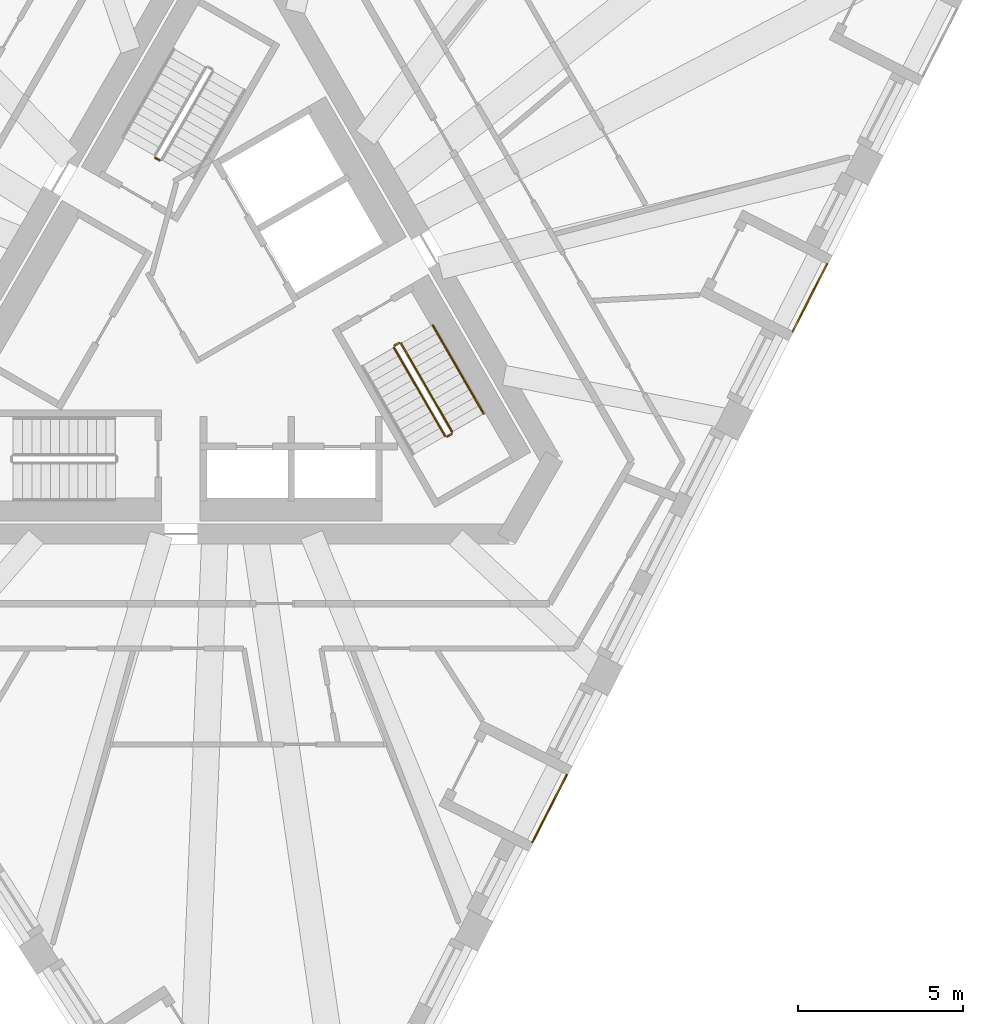
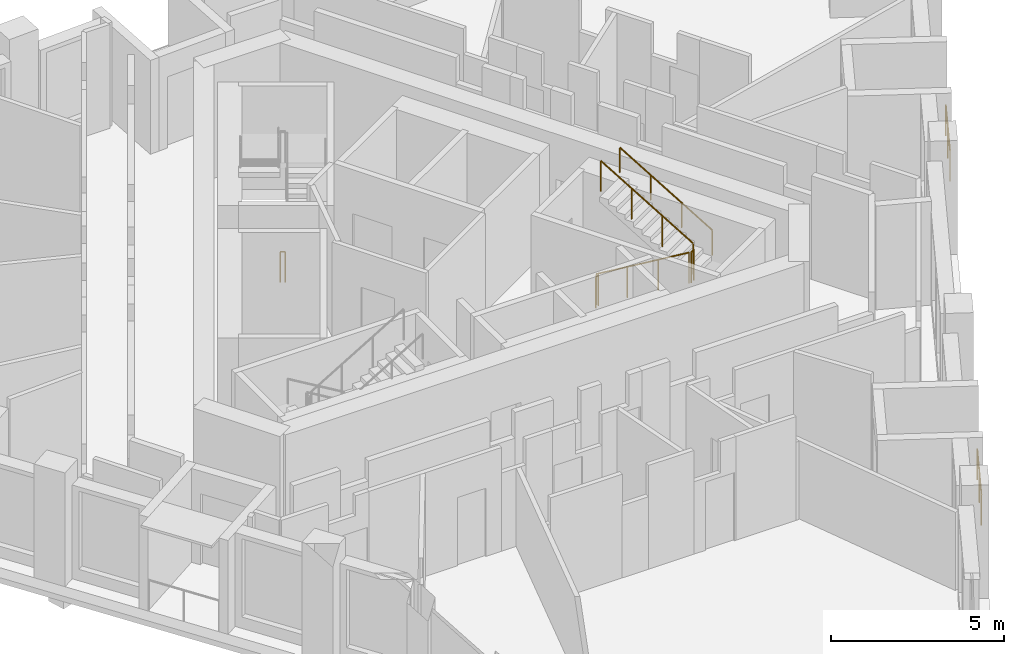
# One storey, part 10 of 12: 8 railings.
"""IFC4 building model written with IfcOpenShell, lengths in metres."""

from ifc_helpers import new_model, si_unit, direction, frame, origin, origin_2d, place, context, subcontext, project, spatial, circle, extrude, material, type_object, element, save


model = new_model("IFC4")

# Units and contexts
model_context = context("Model", 3, precision=1e-05, world=origin(), true_north=direction((0.0, 1.0)))
body_context = subcontext(model_context, "Body", "Model", "MODEL_VIEW")
ifc_project = project(units=[si_unit("LENGTHUNIT", "METRE"), si_unit("AREAUNIT", "SQUARE_METRE"), si_unit("VOLUMEUNIT", "CUBIC_METRE"), si_unit("PLANEANGLEUNIT", "RADIAN"), si_unit("MASSUNIT", "GRAM", prefix="KILO")], contexts=[model_context])

# Site, building, storey
site_placement = place(None, origin())
site = spatial("IfcSite", under=ifc_project, at=site_placement, CompositionType="ELEMENT")
building_placement = place(site_placement, origin())
building = spatial("IfcBuilding", under=site, at=building_placement, Name="Tramontana Tower", CompositionType="ELEMENT")
storey_placement = place(building_placement, frame((0.0, 0.0, 282.39990234375)))
storey = spatial("IfcBuildingStorey", under=building, at=storey_placement, Name="L66", CompositionType="ELEMENT", Elevation=282.39990234375)

# Railings
ifc_material_1 = material(Name="Laminated glass balustrade", Category="glass")
railing_type_1 = type_object("IfcRailingType", Name="GD1 Loggia glass balustrade 1100", PredefinedType="BALUSTRADE", material=ifc_material_1)
railing_1_placement = place(storey_placement, frame((9.3330078125, -15.75830078125, 0.0)))
element("IfcRailing", 1, at=railing_1_placement, inside=storey, type_object=railing_type_1, Name="Loggia balustrade L66 G7S1.4", PredefinedType="BALUSTRADE", context=body_context, shape_type="SweptSolid", body=[
    extrude(circle(Radius=0.02392578125, at=origin_2d()), frame((0.0, 0.0, 1.076171875), z_axis=(0.45403292632, 0.890984905494, 0.0), x_axis=(-0.890984905494, 0.45403292632, 0.0)), (0.0, 0.0, 1.0), 2.286865234375),
    extrude(circle(Radius=0.02099609375, at=origin_2d()), origin(), (0.0, 0.0, 1.0), 1.052001953125),
    extrude(circle(Radius=0.02099609375, at=origin_2d()), frame((0.51904296875, 1.018798828125, 0.0)), (0.0, 0.0, 1.0), 1.052001953125),
    extrude(circle(Radius=0.02099609375, at=origin_2d()), frame((1.038330078125, 2.03759765625, 0.0)), (0.0, 0.0, 1.0), 1.052001953125),
])
railing_2_placement = place(storey_placement, frame((17.196533203125, -0.32568359375, 0.0)))
element("IfcRailing", 2, at=railing_2_placement, inside=storey, type_object=railing_type_1, Name="Loggia balustrade L66 G7S1.10", PredefinedType="BALUSTRADE", context=body_context, shape_type="SweptSolid", body=[
    extrude(circle(Radius=0.02392578125, at=origin_2d()), frame((0.0, 0.0, 1.076171875), z_axis=(0.453948171533, 0.89102809022, 0.0), x_axis=(-0.89102809022, 0.453948171533, 0.0)), (0.0, 0.0, 1.0), 2.286865234375),
    extrude(circle(Radius=0.02099609375, at=origin_2d()), origin(), (0.0, 0.0, 1.0), 1.052001953125),
    extrude(circle(Radius=0.02099609375, at=origin_2d()), frame((0.51904296875, 1.018798828125, 0.0)), (0.0, 0.0, 1.0), 1.052001953125),
    extrude(circle(Radius=0.02099609375, at=origin_2d()), frame((1.0380859375, 2.03759765625, 0.0)), (0.0, 0.0, 1.0), 1.052001953125),
])
ifc_material_2 = material(Name="Painted steel", Category="steel")
railing_type_2 = type_object("IfcRailingType", Name="STAIR GUARD 1100", PredefinedType="GUARDRAIL", material=ifc_material_2)
railing_3_placement = place(storey_placement, frame((-1.935791015625, 4.84716796875, 0.0)))
element("IfcRailing", 3, at=railing_3_placement, inside=storey, type_object=railing_type_2, Name="L66 ST1 stair guard 4", PredefinedType="GUARDRAIL", context=body_context, shape_type="SweptSolid", body=[
    extrude(circle(Radius=0.02392578125, at=origin_2d()), frame((0.0, 0.0, 1.076171875), z_axis=(-0.865426285481, 0.501036270542, 0.0), x_axis=(-0.501036270542, -0.865426285481, 0.0)), (0.0, 0.0, 1.0), 0.150146484375),
    extrude(circle(Radius=0.02099609375, at=origin_2d()), origin(), (0.0, 0.0, 1.0), 1.052001953125),
    extrude(circle(Radius=0.02099609375, at=origin_2d()), frame((-0.1298828125, 0.0751953125, 0.0)), (0.0, 0.0, 1.0), 1.052001953125),
])
railing_4_placement = place(storey_placement, frame((5.1474609375, -0.815673828125, 0.166748046875)))
element("IfcRailing", 4, at=railing_4_placement, inside=storey, type_object=railing_type_2, Name="L66 ST3 stair guard 1", PredefinedType="GUARDRAIL", context=body_context, shape_type="SweptSolid", body=[
    extrude(circle(Radius=0.02392578125, at=origin_2d()), frame((0.0, 0.0, 1.076171875), z_axis=(0.429671193721, -0.744159446956, 0.511477646425), x_axis=(0.866010015463, 0.500026652407, 0.0)), (0.0, 0.0, 1.0), 3.584228515625),
    extrude(circle(Radius=0.02099609375, at=origin_2d()), origin(), (0.0, 0.0, 1.0), 1.052001953125),
    extrude(circle(Radius=0.02099609375, at=origin_2d()), frame((0.513427734375, -0.88916015625, 0.611083984375)), (0.0, 0.0, 1.0), 1.052001953125),
    extrude(circle(Radius=0.02099609375, at=origin_2d()), frame((1.026611328125, -1.778076171875, 1.22216796875)), (0.0, 0.0, 1.0), 1.052001953125),
    extrude(circle(Radius=0.02099609375, at=origin_2d()), frame((1.5400390625, -2.667236328125, 1.833251953125)), (0.0, 0.0, 1.0), 1.052001953125),
])
railing_5_placement = place(storey_placement, frame((6.90380859375, -3.35791015625, 2.166748046875)))
element("IfcRailing", 5, at=railing_5_placement, inside=storey, type_object=railing_type_2, Name="L66 ST3 stair guard 2", PredefinedType="GUARDRAIL", context=body_context, shape_type="SweptSolid", body=[
    extrude(circle(Radius=0.02392578125, at=origin_2d()), frame((0.0, 0.0, 1.076171875), z_axis=(-0.429615651263, 0.74418122563, 0.511492615401), x_axis=(-0.866044340336, -0.499967199496, 0.0)), (0.0, 0.0, 1.0), 3.584228515625),
    extrude(circle(Radius=0.02099609375, at=origin_2d()), origin(), (0.0, 0.0, 1.0), 1.052001953125),
    extrude(circle(Radius=0.02099609375, at=origin_2d()), frame((-0.51318359375, 0.88916015625, 0.611083984375)), (0.0, 0.0, 1.0), 1.052001953125),
    extrude(circle(Radius=0.02099609375, at=origin_2d()), frame((-1.026611328125, 1.778076171875, 1.22216796875)), (0.0, 0.0, 1.0), 1.052001953125),
    extrude(circle(Radius=0.02099609375, at=origin_2d()), frame((-1.539794921875, 2.667236328125, 1.833251953125)), (0.0, 0.0, 1.0), 1.052001953125),
])
for number, where, name in (
    (6, (6.755615234375, -3.501220703125, 2.0), "L66 ST3 stair guard 3"),
    (7, (5.165771484375, -0.747314453125, 0.0), "L66 ST3 stair guard 4"),
):
    element("IfcRailing", number, at=place(storey_placement, frame(where)), inside=storey, type_object=railing_type_2, Name=name, PredefinedType="GUARDRAIL", context=body_context, shape_type="SweptSolid", body=[
        extrude(circle(Radius=0.02392578125, at=origin_2d()), frame((0.0, 0.0, 1.076171875), z_axis=(0.866131372301, 0.499816412211, 0.0), x_axis=(-0.499816412211, 0.866131372301, 0.0)), (0.0, 0.0, 1.0), 0.14990234375),
        extrude(circle(Radius=0.02099609375, at=origin_2d()), origin(), (0.0, 0.0, 1.0), 1.052001953125),
        extrude(circle(Radius=0.02099609375, at=origin_2d()), frame((0.1298828125, 0.074951171875, 0.0)), (0.0, 0.0, 1.0), 1.052001953125),
    ])
ifc_material_3 = material(Name="Painted steel", Category="steel")
railing_type_3 = type_object("IfcRailingType", Name="STAIR HANDRAIL 900", PredefinedType="HANDRAIL", material=ifc_material_3)
railing_6_placement = place(storey_placement, frame((7.8564453125, -2.807861328125, 2.166748046875)))
element("IfcRailing", 8, at=railing_6_placement, inside=storey, type_object=railing_type_3, Name="L66 ST3 stair handrail 2", PredefinedType="HANDRAIL", context=body_context, shape_type="SweptSolid", body=[
    extrude(circle(Radius=0.02392578125, at=origin_2d()), frame((0.0, 0.0, 0.8759765625), z_axis=(-0.429615651263, 0.74418122563, 0.511492615401), x_axis=(-0.866044340336, -0.499967199496, 0.0)), (0.0, 0.0, 1.0), 3.584228515625),
    extrude(circle(Radius=0.02099609375, at=origin_2d()), origin(), (0.0, 0.0, 1.0), 0.851806640625),
    extrude(circle(Radius=0.02099609375, at=origin_2d()), frame((-0.51318359375, 0.88916015625, 0.611083984375)), (0.0, 0.0, 1.0), 0.851806640625),
    extrude(circle(Radius=0.02099609375, at=origin_2d()), frame((-1.026611328125, 1.778076171875, 1.22216796875)), (0.0, 0.0, 1.0), 0.851806640625),
    extrude(circle(Radius=0.02099609375, at=origin_2d()), frame((-1.539794921875, 2.667236328125, 1.833251953125)), (0.0, 0.0, 1.0), 0.851806640625),
])

save(model, "model.ifc")
